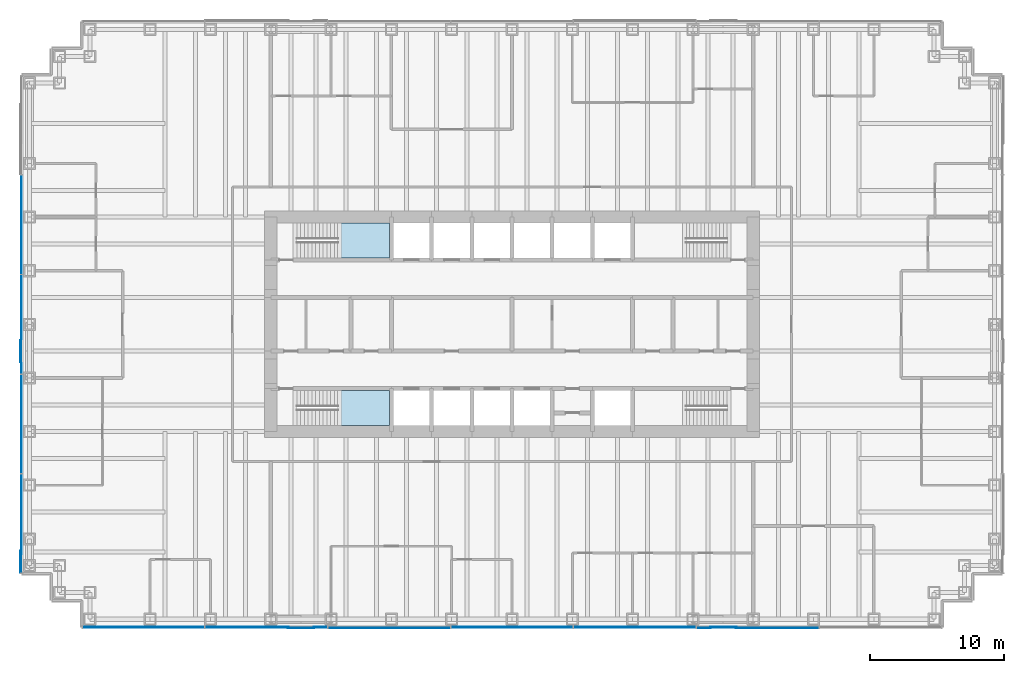
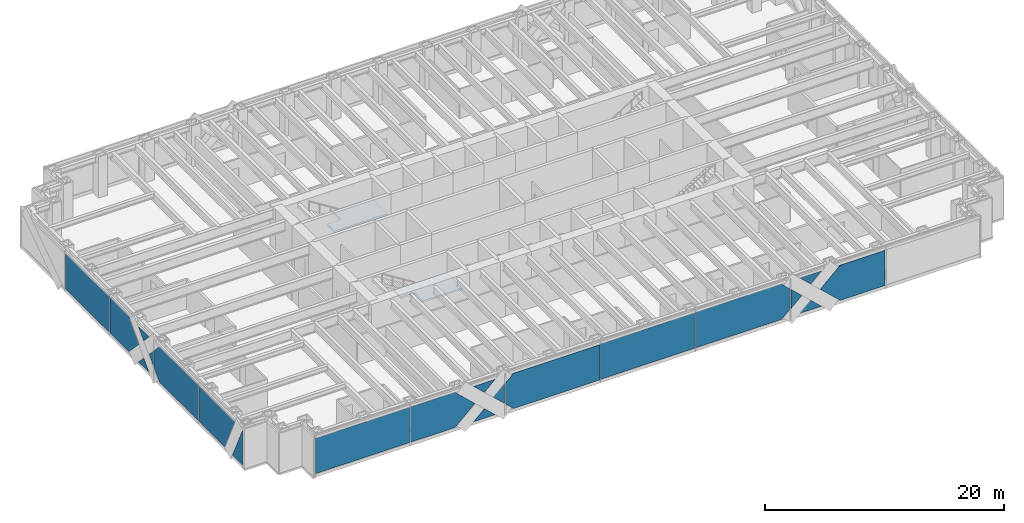
# One storey, part 10 of 17: 20 plates, 2 slabs, 4 elements without a shape of their own.
"""IFC4 building model written with IfcOpenShell, lengths in metres."""

import ifcopenshell
import ifcopenshell.guid

model = None  # the IFC model being written
_history = None  # IfcOwnerHistory: only IFC2X3 demands one
_inside = {}  # id of a spatial element -> (the spatial element, [elements in it])
_under = {}  # id of a project, library or spatial element -> (it, [spatial elements below it])
_declared = {}  # id of a project -> (the project, [libraries it declares])
_typed = {}  # id of a type object -> (the type object, [elements of that type])
_made_of = {}  # id of a material, layer set ... -> (it, [elements and type objects made of it])


def new_model(schema):
    """Start an empty IFC model of exactly this schema.

    Asked for "IFC4X3", IfcOpenShell would pick the latest addendum, in which some entities
    have other attributes; the version numbers below select the first issue.
    IFC2X3 requires an IfcOwnerHistory on every rooted entity: one is made here for all.
    """
    global model, _history
    if schema == "IFC4X3":
        model = ifcopenshell.file(schema_version=(4, 3, 0, 0))
    else:
        model = ifcopenshell.file(schema=schema)
    _inside.clear()
    _under.clear()
    _declared.clear()
    _typed.clear()
    _made_of.clear()
    _history = None
    if model.schema == "IFC2X3":
        org = make("IfcOrganization", Name="unknown")
        user = make(
            "IfcPersonAndOrganization",
            ThePerson=make("IfcPerson", FamilyName="unknown"),
            TheOrganization=org,
        )
        app = make(
            "IfcApplication",
            ApplicationDeveloper=org,
            Version="unknown",
            ApplicationFullName="unknown",
            ApplicationIdentifier="unknown",
        )
        _history = make(
            "IfcOwnerHistory",
            OwningUser=user,
            OwningApplication=app,
            ChangeAction="ADDED",
            CreationDate=0,
        )
    return model


def make(cls, **values):
    """One entity of the class cls with the attributes given. An attribute that is None is left unset."""
    return model.create_entity(
        cls, **{name: value for name, value in values.items() if value is not None}
    )


def rooted(cls, **values):
    """An entity with a GlobalId (a new one), such as an element, a storey or a relation."""
    return make(cls, GlobalId=ifcopenshell.guid.new(), OwnerHistory=_history, **values)


def si_unit(unit_type, name, prefix=None):
    """IfcSIUnit, for example si_unit("LENGTHUNIT", "METRE", prefix="MILLI")."""
    return make("IfcSIUnit", UnitType=unit_type, Prefix=prefix, Name=name)


def assignment(units):
    """IfcUnitAssignment: the units of a project."""
    return None if units is None else make("IfcUnitAssignment", Units=units)


def point(xyz):
    """IfcCartesianPoint."""
    return None if xyz is None else make("IfcCartesianPoint", Coordinates=xyz)


def direction(xyz):
    """IfcDirection."""
    return None if xyz is None else make("IfcDirection", DirectionRatios=xyz)


def frame(location, z_axis=None, x_axis=None):
    """IfcAxis2Placement3D, a coordinate frame: its origin and axes. An axis left out is left unset."""
    return make(
        "IfcAxis2Placement3D",
        Location=point(location),
        Axis=direction(z_axis),
        RefDirection=direction(x_axis),
    )


def frame_2d(location, x_axis=None):
    """IfcAxis2Placement2D, a coordinate frame in the plane: its origin and x axis."""
    return make(
        "IfcAxis2Placement2D", Location=point(location), RefDirection=direction(x_axis)
    )


def origin():
    """The frame at (0, 0, 0) with its axes left unset."""
    return frame((0.0, 0.0, 0.0))


def origin_2d():
    """The frame at (0, 0) in the plane with its x axis left unset."""
    return frame_2d((0.0, 0.0))


def place(relative_to, where):
    """IfcLocalPlacement: puts the frame where relative to a parent placement (None: the world)."""
    return make(
        "IfcLocalPlacement", PlacementRelTo=relative_to, RelativePlacement=where
    )


def context(
    kind, dimensions, precision=None, world=None, true_north=None, identifier=None
):
    """IfcGeometricRepresentationContext, for example the 3D "Model" context."""
    return make(
        "IfcGeometricRepresentationContext",
        ContextIdentifier=identifier,
        ContextType=kind,
        CoordinateSpaceDimension=dimensions,
        Precision=precision,
        WorldCoordinateSystem=world,
        TrueNorth=true_north,
    )


def subcontext(parent, identifier, kind, view, scale=None):
    """IfcGeometricRepresentationSubContext, for example "Body" below "Model"."""
    return make(
        "IfcGeometricRepresentationSubContext",
        ContextIdentifier=identifier,
        ContextType=kind,
        ParentContext=parent,
        TargetScale=scale,
        TargetView=view,
    )


def project(units=None, contexts=None):
    """IfcProject with its units and contexts."""
    return rooted(
        "IfcProject",
        Name="project",
        RepresentationContexts=contexts,
        UnitsInContext=assignment(units),
    )


def spatial(cls, under=None, at=None, **own):
    """A site, building, storey or space (cls), placed at a placement, below another one or the project."""
    s = rooted(cls, ObjectPlacement=at, **own)
    if under is not None:
        _under.setdefault(under.id(), (under, []))[1].append(s)
    return s


def polyline(points):
    """IfcPolyline through the points."""
    return make("IfcPolyline", Points=[point(p) for p in points])


def profile(cls, at=None, kind="AREA", **sizes):
    """A parametric profile (cls). Its sizes go by their IFC names, for example OverallWidth=200.0."""
    return make(cls, ProfileType=kind, Position=at, **sizes)


def rectangle(**sizes):
    """IfcRectangleProfileDef."""
    return profile("IfcRectangleProfileDef", **sizes)


def outline(outer, holes=None, kind="AREA"):
    """IfcArbitraryClosedProfileDef: a profile drawn as a closed curve; with holes, ...WithVoids."""
    if holes is None:
        return make("IfcArbitraryClosedProfileDef", ProfileType=kind, OuterCurve=outer)
    return make(
        "IfcArbitraryProfileDefWithVoids",
        ProfileType=kind,
        OuterCurve=outer,
        InnerCurves=holes,
    )


def extrude(swept, where, along, depth):
    """IfcExtrudedAreaSolid: the profile swept, set in the frame where, extruded along a direction by depth."""
    return make(
        "IfcExtrudedAreaSolid",
        SweptArea=swept,
        Position=where,
        ExtrudedDirection=direction(along),
        Depth=depth,
    )


def shape(context_of_items, identifier, shape_type, items):
    """IfcShapeRepresentation: the items that make up one representation, for example the "Body"."""
    return make(
        "IfcShapeRepresentation",
        ContextOfItems=context_of_items,
        RepresentationIdentifier=identifier,
        RepresentationType=shape_type,
        Items=items,
    )


def material(Name=None, Category=None):
    """IfcMaterial."""
    return make("IfcMaterial", Name=Name, Category=Category)


def layer(
    of_material, thickness, ventilated=None, Name=None, Category=None, Priority=None
):
    """IfcMaterialLayer: one layer of a wall or slab, of a material (None: an air gap)."""
    return make(
        "IfcMaterialLayer",
        Material=of_material,
        LayerThickness=thickness,
        IsVentilated=ventilated,
        Name=Name,
        Category=Category,
        Priority=Priority,
    )


def layer_set(layers, Name=None):
    """IfcMaterialLayerSet."""
    return make("IfcMaterialLayerSet", MaterialLayers=layers, LayerSetName=Name)


def made_of(thing, what):
    """Note that an element or type object is made of a material, layer set ...; save() writes the relation."""
    if what is not None:
        _made_of.setdefault(what.id(), (what, []))[1].append(thing)
    return thing


def type_object(cls, material=None, **own):
    """A type object (cls), such as IfcWallType, which elements share."""
    return made_of(rooted(cls, **own), material)


def element(
    cls,
    number,
    at=None,
    inside=None,
    cuts=None,
    type_object=None,
    material=None,
    context=None,
    identifier="Body",
    shape_type=None,
    held_by="IfcProductDefinitionShape",
    body=None,
    shapes=None,
    **own,
):
    """One element of the class cls, such as IfcWall. Its Tag is "e" and its number.

    at: its placement. inside: the storey or other place that contains it. cuts: it is an
    opening in that element (IfcRelVoidsElement). A single representation is given by context,
    identifier, shape_type and body (its items); several are given by shapes. held_by: the class
    of the entity that holds the representations. save() writes the other relations.
    """
    e = rooted(cls, Tag="e%d" % number, ObjectPlacement=at, **own)
    if body is not None:
        shapes = [shape(context, identifier, shape_type, body)]
    if shapes is not None:
        e.Representation = make(held_by, Representations=shapes)
    if inside is not None:
        _inside.setdefault(inside.id(), (inside, []))[1].append(e)
    if cuts is not None:
        rooted(
            "IfcRelVoidsElement", RelatingBuildingElement=cuts, RelatedOpeningElement=e
        )
    if type_object is not None:
        _typed.setdefault(type_object.id(), (type_object, []))[1].append(e)
    return made_of(e, material)


def aggregate(whole, parts):
    """IfcRelAggregates: a whole, such as a stair, and the parts it consists of."""
    return rooted("IfcRelAggregates", RelatingObject=whole, RelatedObjects=parts)


def save(model, path):
    """Write the relations noted so far, then the file.

    IfcRelAggregates (storeys below a building ...), IfcRelContainedInSpatialStructure (elements
    in a storey), IfcRelDefinesByType, IfcRelAssociatesMaterial and IfcRelDeclares: one each for
    every whole, place, type object, material and project.
    """
    for whole, parts in _under.values():
        aggregate(whole, parts)
    for where, things in _inside.values():
        rooted(
            "IfcRelContainedInSpatialStructure",
            RelatedElements=things,
            RelatingStructure=where,
        )
    for kind, things in _typed.values():
        rooted("IfcRelDefinesByType", RelatedObjects=things, RelatingType=kind)
    for what, things in _made_of.values():
        rooted("IfcRelAssociatesMaterial", RelatedObjects=things, RelatingMaterial=what)
    for by, libraries in _declared.values():
        rooted("IfcRelDeclares", RelatingContext=by, RelatedDefinitions=libraries)
    model.write(path)


model = new_model("IFC4")

# Units and contexts
model_context = context("Model", 3, precision=1e-05, world=origin(), true_north=direction((0.0, 1.0)))
body_context = subcontext(model_context, "Body", "Model", "MODEL_VIEW")
ifc_project = project(units=[si_unit("LENGTHUNIT", "METRE"), si_unit("AREAUNIT", "SQUARE_METRE"), si_unit("VOLUMEUNIT", "CUBIC_METRE"), si_unit("PLANEANGLEUNIT", "RADIAN"), si_unit("MASSUNIT", "GRAM", prefix="KILO")], contexts=[model_context])

# Site, building, storey
site_placement = place(None, origin())
site = spatial("IfcSite", under=ifc_project, at=site_placement, CompositionType="ELEMENT")
building_placement = place(site_placement, origin())
building = spatial("IfcBuilding", under=site, at=building_placement, Name="Rheinbord Bourse Tower", CompositionType="ELEMENT")
storey_placement = place(building_placement, frame((0.0, 0.0, 138.300048828125)))
storey = spatial("IfcBuildingStorey", under=building, at=storey_placement, Name="L30", CompositionType="ELEMENT", Elevation=138.300048828125)

# Curtain wall, plates
ifc_material_1 = material(Name="Dark glass and black aluminium", Category="aluminium")
curtain_wall_type = type_object("IfcCurtainWallType", Name="CW2 DARK GLASS CURTAIN WALL", PredefinedType="USERDEFINED", material=ifc_material_1)
curtain_wall_1_placement = place(storey_placement, origin())
curtain_wall_1 = element("IfcCurtainWall", 1, at=curtain_wall_1_placement, inside=storey, type_object=curtain_wall_type, Name="Curtain wall CW2 S L30", ObjectType="UNITISED CURTAIN WALL", PredefinedType="USERDEFINED")
ifc_material_2 = material(Name="Dark tinted triple insulating glass", Category="glass")
ifc_layer_1 = layer(ifc_material_2, 0.050048828125)
ifc_layer_set_1 = layer_set([ifc_layer_1], Name="CW2 DARK GLASS PANEL")
plate_type = type_object("IfcPlateType", Name="CW2 DARK GLASS PANEL", PredefinedType="CURTAIN_PANEL", material=ifc_layer_set_1)
plate_1_placement = place(storey_placement, frame((8.503173828125, 1.39990234375, 0.2998046875), z_axis=(0.0, 0.0, 1.0), x_axis=(1.0, 0.0, 0.0)))
plate_1 = element("IfcPlate", 2, at=plate_1_placement, type_object=plate_type, Name="CW2 panel 1.1", PredefinedType="CURTAIN_PANEL", context=body_context, shape_type="SweptSolid", body=[
    extrude(rectangle(XDim=9.06640625, YDim=0.050048828125, at=origin_2d()), origin(), (0.0, 0.0, 1.0), 3.60009765625),
])
plate_2_placement = place(storey_placement, frame((36.0, 1.39990234375, 0.2998046875), z_axis=(0.0, 0.0, 1.0), x_axis=(1.0, 0.0, 0.0)))
plate_2 = element("IfcPlate", 3, at=plate_2_placement, type_object=plate_type, Name="CW2 panel 4.1", PredefinedType="CURTAIN_PANEL", context=body_context, shape_type="SweptSolid", body=[
    extrude(rectangle(XDim=9.101318359375, YDim=0.050048828125, at=origin_2d()), origin(), (0.0, 0.0, 1.0), 3.60009765625),
])
plate_3_placement = place(storey_placement, frame((13.10595703125, 1.375, 0.300048828125), z_axis=(0.0, 1.0, 0.0), x_axis=(0.0, 0.0, 1.0)))
plate_3 = element("IfcPlate", 4, at=plate_3_placement, type_object=plate_type, Name="CW2 glass facet 1", PredefinedType="CURTAIN_PANEL", context=body_context, shape_type="SweptSolid", body=[
    extrude(outline(polyline([(0.0, 0.0), (3.599853515625, 0.0), (3.599853515625, 4.3291015625), (1.7998046875, 6.257080078125), (0.0, 4.3291015625), (0.0, 0.0)])), origin(), (0.0, 0.0, 1.0), 0.050048828125),
])
plate_4_placement = place(storey_placement, frame((19.2080078125, 1.31982421875, 0.300048828125), z_axis=(0.0, 1.0, 0.0), x_axis=(0.731266046968, 0.0, 0.682092346059)))
plate_4 = element("IfcPlate", 5, at=plate_4_placement, type_object=plate_type, Name="CW2 glass facet 2", PredefinedType="CURTAIN_PANEL", context=body_context, shape_type="SweptSolid", body=[
    extrude(outline(polyline([(0.0, 0.0), (1.4248046875, 0.0), (1.52392578125, 1.42138671875), (0.0, 0.0)])), origin(), (0.0, 0.0, 1.0), 0.050048828125),
])
plate_5_placement = place(storey_placement, frame((21.2919921875, 1.31982421875, 3.89990234375), z_axis=(0.0, 1.0, 0.0), x_axis=(-0.731266046968, 0.0, -0.682092346059)))
plate_5 = element("IfcPlate", 6, at=plate_5_placement, type_object=plate_type, Name="CW2 glass facet 3", PredefinedType="CURTAIN_PANEL", context=body_context, shape_type="SweptSolid", body=[
    extrude(outline(polyline([(0.0, 0.0), (1.4248046875, 0.0), (1.52392578125, 1.42138671875), (0.0, 0.0)])), origin(), (0.0, 0.0, 1.0), 0.050048828125),
])
plate_6_placement = place(storey_placement, frame((22.2080078125, 1.375, 1.099853515625), z_axis=(0.0, 1.0, 0.0), x_axis=(-0.730933363576, 0.0, 0.682448839117)))
plate_6 = element("IfcPlate", 7, at=plate_6_placement, type_object=plate_type, Name="CW2 glass facet 4", PredefinedType="CURTAIN_PANEL", context=body_context, shape_type="SweptSolid", body=[
    extrude(outline(polyline([(0.0, 0.0), (1.46533203125, 0.0), (1.364990234375, 1.4619140625), (0.0, 0.0)])), origin(), (0.0, 0.0, 1.0), 0.050048828125),
])
plate_7_placement = place(storey_placement, frame((31.37890625, 1.31982421875, 3.89990234375), z_axis=(0.0, 1.0, 0.0), x_axis=(0.0, 0.0, -1.0)))
plate_7 = element("IfcPlate", 8, at=plate_7_placement, type_object=plate_type, Name="CW2 glass facet 1", PredefinedType="CURTAIN_PANEL", context=body_context, shape_type="SweptSolid", body=[
    extrude(outline(polyline([(0.0, 0.0), (3.599853515625, 0.0), (3.599853515625, 8.31396484375), (2.864990234375, 9.100830078125), (0.73486328125, 9.100830078125), (0.0, 8.31396484375), (0.0, 0.0)])), origin(), (0.0, 0.0, 1.0), 0.050048828125),
])
plate_8_placement = place(storey_placement, frame((40.62109375, 1.375, 0.300048828125), z_axis=(0.0, 1.0, 0.0), x_axis=(0.0, 0.0, 1.0)))
plate_8 = element("IfcPlate", 9, at=plate_8_placement, type_object=plate_type, Name="CW2 glass facet 1", PredefinedType="CURTAIN_PANEL", context=body_context, shape_type="SweptSolid", body=[
    extrude(outline(polyline([(0.0, 0.0), (3.599853515625, 0.0), (3.599853515625, 8.31396484375), (2.864990234375, 9.100830078125), (0.73486328125, 9.100830078125), (0.0, 8.31396484375), (0.0, 0.0)])), origin(), (0.0, 0.0, 1.0), 0.050048828125),
])
plate_9_placement = place(storey_placement, frame((49.7919921875, 1.31982421875, 3.099853515625), z_axis=(0.0, 1.0, 0.0), x_axis=(0.730933363576, 0.0, -0.682448839117)))
plate_9 = element("IfcPlate", 10, at=plate_9_placement, type_object=plate_type, Name="CW2 glass facet 1", PredefinedType="CURTAIN_PANEL", context=body_context, shape_type="SweptSolid", body=[
    extrude(outline(polyline([(0.0, 0.0), (1.46533203125, 0.0), (1.364990234375, 1.4619140625), (0.0, 0.0)])), origin(), (0.0, 0.0, 1.0), 0.050048828125),
])
plate_10_placement = place(storey_placement, frame((50.7080078125, 1.375, 0.300048828125), z_axis=(0.0, 1.0, 0.0), x_axis=(0.731266046968, 0.0, 0.682092346059)))
plate_10 = element("IfcPlate", 11, at=plate_10_placement, type_object=plate_type, Name="CW2 glass facet 2", PredefinedType="CURTAIN_PANEL", context=body_context, shape_type="SweptSolid", body=[
    extrude(outline(polyline([(0.0, 0.0), (1.4248046875, 0.0), (1.52392578125, 1.42138671875), (0.0, 0.0)])), origin(), (0.0, 0.0, 1.0), 0.050048828125),
])
plate_11_placement = place(storey_placement, frame((52.7919921875, 1.375, 3.89990234375), z_axis=(0.0, 1.0, 0.0), x_axis=(-0.731266046968, 0.0, -0.682092346059)))
plate_11 = element("IfcPlate", 12, at=plate_11_placement, type_object=plate_type, Name="CW2 glass facet 3", PredefinedType="CURTAIN_PANEL", context=body_context, shape_type="SweptSolid", body=[
    extrude(outline(polyline([(0.0, 0.0), (1.4248046875, 0.0), (1.52392578125, 1.42138671875), (0.0, 0.0)])), origin(), (0.0, 0.0, 1.0), 0.050048828125),
])
plate_12_placement = place(storey_placement, frame((58.89404296875, 1.31982421875, 3.89990234375), z_axis=(0.0, 1.0, 0.0), x_axis=(0.0, 0.0, -1.0)))
plate_12 = element("IfcPlate", 13, at=plate_12_placement, type_object=plate_type, Name="CW2 glass facet 4", PredefinedType="CURTAIN_PANEL", context=body_context, shape_type="SweptSolid", body=[
    extrude(outline(polyline([(0.0, 0.0), (3.599853515625, 0.0), (3.599853515625, 4.3291015625), (1.800048828125, 6.257080078125), (0.0, 4.3291015625), (0.0, 0.0)])), origin(), (0.0, 0.0, 1.0), 0.050048828125),
])
aggregate(curtain_wall_1, [plate_1, plate_2, plate_3, plate_4, plate_5, plate_6, plate_7, plate_8, plate_9, plate_10, plate_11, plate_12])

curtain_wall_2_placement = place(storey_placement, origin())
curtain_wall_2 = element("IfcCurtainWall", 14, at=curtain_wall_2_placement, inside=storey, type_object=curtain_wall_type, Name="Curtain wall CW2 W L30", ObjectType="UNITISED CURTAIN WALL", PredefinedType="USERDEFINED")
plate_13_placement = place(storey_placement, frame((-0.60009765625, 31.43994140625, 0.2998046875), z_axis=(0.0, 0.0, 1.0), x_axis=(0.0, -1.0, 0.0)))
plate_13 = element("IfcPlate", 15, at=plate_13_placement, type_object=plate_type, Name="CW2 panel 2.1", PredefinedType="CURTAIN_PANEL", context=body_context, shape_type="SweptSolid", body=[
    extrude(rectangle(XDim=7.3701171875, YDim=0.050048828125, at=origin_2d()), origin(), (0.0, 0.0, 1.0), 3.60009765625),
])
plate_14_placement = place(storey_placement, frame((-0.625, 27.68505859375, 0.300048828125), z_axis=(1.0, 0.0, 0.0), x_axis=(0.0, 0.0, 1.0)))
plate_14 = element("IfcPlate", 16, at=plate_14_placement, type_object=plate_type, Name="CW2 glass facet 1", PredefinedType="CURTAIN_PANEL", context=body_context, shape_type="SweptSolid", body=[
    extrude(outline(polyline([(0.0, 0.0), (3.599853515625, 0.0), (3.599853515625, 3.135009765625), (1.7998046875, 4.85009765625), (0.0, 3.135009765625), (0.0, 0.0)])), origin(), (0.0, 0.0, 1.0), 0.050048828125),
])
plate_15_placement = place(storey_placement, frame((-0.68017578125, 22.87890625, 0.300048828125), z_axis=(1.0, 0.0, 0.0), x_axis=(0.0, -0.689655172414, 0.724137931034)))
plate_15 = element("IfcPlate", 17, at=plate_15_placement, type_object=plate_type, Name="CW2 glass facet 2", PredefinedType="CURTAIN_PANEL", context=body_context, shape_type="SweptSolid", body=[
    extrude(outline(polyline([(0.0, 0.0), (1.2744140625, 0.0), (1.21240234375, 1.27294921875), (0.0, 0.0)])), origin(), (0.0, 0.0, 1.0), 0.050048828125),
])
plate_16_placement = place(storey_placement, frame((-0.68017578125, 21.12109375, 3.89990234375), z_axis=(1.0, 0.0, 0.0), x_axis=(0.0, 0.689655172414, -0.724137931034)))
plate_16 = element("IfcPlate", 18, at=plate_16_placement, type_object=plate_type, Name="CW2 glass facet 3", PredefinedType="CURTAIN_PANEL", context=body_context, shape_type="SweptSolid", body=[
    extrude(outline(polyline([(0.0, 0.0), (1.2744140625, 0.0), (1.21240234375, 1.27294921875), (0.0, 0.0)])), origin(), (0.0, 0.0, 1.0), 0.050048828125),
])
plate_17_placement = place(storey_placement, frame((-0.625, 20.31494140625, 1.2080078125), z_axis=(1.0, 0.0, 0.0), x_axis=(0.0, 0.689961879422, 0.723845705206)))
plate_17 = element("IfcPlate", 19, at=plate_17_placement, type_object=plate_type, Name="CW2 glass facet 4", PredefinedType="CURTAIN_PANEL", context=body_context, shape_type="SweptSolid", body=[
    extrude(outline(polyline([(0.0, 0.0), (1.232177734375, 0.0), (1.291259765625, 1.23095703125), (0.0, 0.0)])), origin(), (0.0, 0.0, 1.0), 0.050048828125),
])
plate_18_placement = place(storey_placement, frame((-0.625, 12.875, 3.89990234375), z_axis=(1.0, 0.0, 0.0), x_axis=(0.0, 0.0, -1.0)))
plate_18 = element("IfcPlate", 20, at=plate_18_placement, type_object=plate_type, Name="CW2 glass facet 1", PredefinedType="CURTAIN_PANEL", context=body_context, shape_type="SweptSolid", body=[
    extrude(outline(polyline([(0.0, 0.0), (3.599853515625, 0.0), (3.599853515625, 6.574951171875), (2.764892578125, 7.3701171875), (0.8349609375, 7.3701171875), (0.0, 6.574951171875), (0.0, 0.0)])), origin(), (0.0, 0.0, 1.0), 0.050048828125),
])
plate_19_placement = place(storey_placement, frame((-0.625, 12.804931640625, 0.300048828125), z_axis=(1.0, 0.0, 0.0), x_axis=(0.0, 0.0, 1.0)))
plate_19 = element("IfcPlate", 21, at=plate_19_placement, type_object=plate_type, Name="CW2 glass facet 1", PredefinedType="CURTAIN_PANEL", context=body_context, shape_type="SweptSolid", body=[
    extrude(outline(polyline([(0.0, 0.0), (3.599853515625, 0.0), (3.599853515625, 5.991943359375), (0.0, 4.27783203125), (0.0, 0.0)])), origin(), (0.0, 0.0, 1.0), 0.050048828125),
])
plate_20_placement = place(storey_placement, frame((-0.68017578125, 5.469970703125, 3.89990234375), z_axis=(1.0, 0.0, 0.0), x_axis=(0.0, 0.0, -1.0)))
plate_20 = element("IfcPlate", 22, at=plate_20_placement, type_object=plate_type, Name="CW2 glass facet 2", PredefinedType="CURTAIN_PANEL", context=body_context, shape_type="SweptSolid", body=[
    extrude(outline(polyline([(0.0, 0.0), (3.599853515625, 0.0), (3.599853515625, 1.717041015625), (0.0, 0.0029296875), (0.0, 0.0)])), origin(), (0.0, 0.0, 1.0), 0.050048828125),
])
aggregate(curtain_wall_2, [plate_13, plate_14, plate_15, plate_16, plate_17, plate_18, plate_19, plate_20])

# Stair, slab
ifc_material_3 = material(Name="Concrete C30/37", Category="concrete")
stair_type = type_object("IfcStairType", Name="CORE STAIR HALF TURN 4200", PredefinedType="HALF_TURN_STAIR", material=ifc_material_3)
stair_1_placement = place(storey_placement, origin())
stair_1 = element("IfcStair", 23, at=stair_1_placement, inside=storey, type_object=stair_type, Name="Stair ST1 L30, type CS6", PredefinedType="HALF_TURN_STAIR")
ifc_material_4 = material(Name="Concrete C30/37", Category="concrete")
ifc_layer_2 = layer(ifc_material_4, 0.199951171875)
ifc_layer_set_2 = layer_set([ifc_layer_2], Name="STAIR LANDING 200")
slab_type = type_object("IfcSlabType", Name="STAIR LANDING 200", PredefinedType="LANDING", material=ifc_layer_set_2)
slab_1_placement = place(storey_placement, frame((0.0, 0.0, 1.89990234375)))
slab_1 = element("IfcSlab", 24, at=slab_1_placement, type_object=slab_type, Name="Half landing ST1 L30", PredefinedType="LANDING", context=body_context, shape_type="SweptSolid", body=[
    extrude(outline(polyline([(23.030029296875, 16.449951171875), (26.85009765625, 16.449951171875), (26.85009765625, 19.050048828125), (21.748046875, 19.050048828125), (21.748046875, 17.85009765625), (23.030029296875, 17.85009765625), (23.030029296875, 16.449951171875)])), origin(), (0.0, 0.0, 1.0), 0.199951171875),
])
aggregate(stair_1, [slab_1])

stair_2_placement = place(storey_placement, origin())
stair_2 = element("IfcStair", 25, at=stair_2_placement, inside=storey, type_object=stair_type, Name="Stair ST2 L30, type CS6", PredefinedType="HALF_TURN_STAIR")
slab_2_placement = place(storey_placement, frame((0.0, 0.0, 1.89990234375)))
slab_2 = element("IfcSlab", 26, at=slab_2_placement, type_object=slab_type, Name="Half landing ST2 L30", PredefinedType="LANDING", context=body_context, shape_type="SweptSolid", body=[
    extrude(outline(polyline([(21.748046875, 28.949951171875), (26.85009765625, 28.949951171875), (26.85009765625, 31.550048828125), (23.030029296875, 31.550048828125), (23.030029296875, 30.14990234375), (21.748046875, 30.14990234375), (21.748046875, 28.949951171875)])), origin(), (0.0, 0.0, 1.0), 0.199951171875),
])
aggregate(stair_2, [slab_2])

save(model, "model.ifc")
